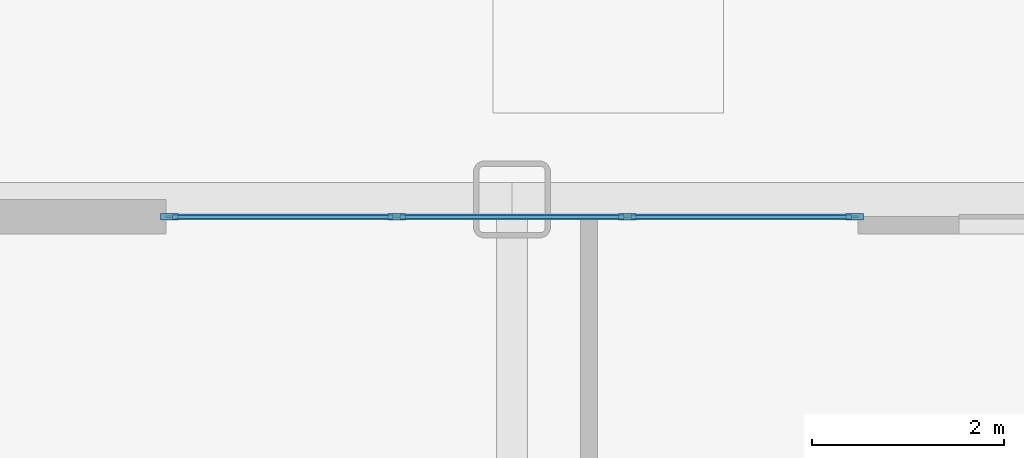
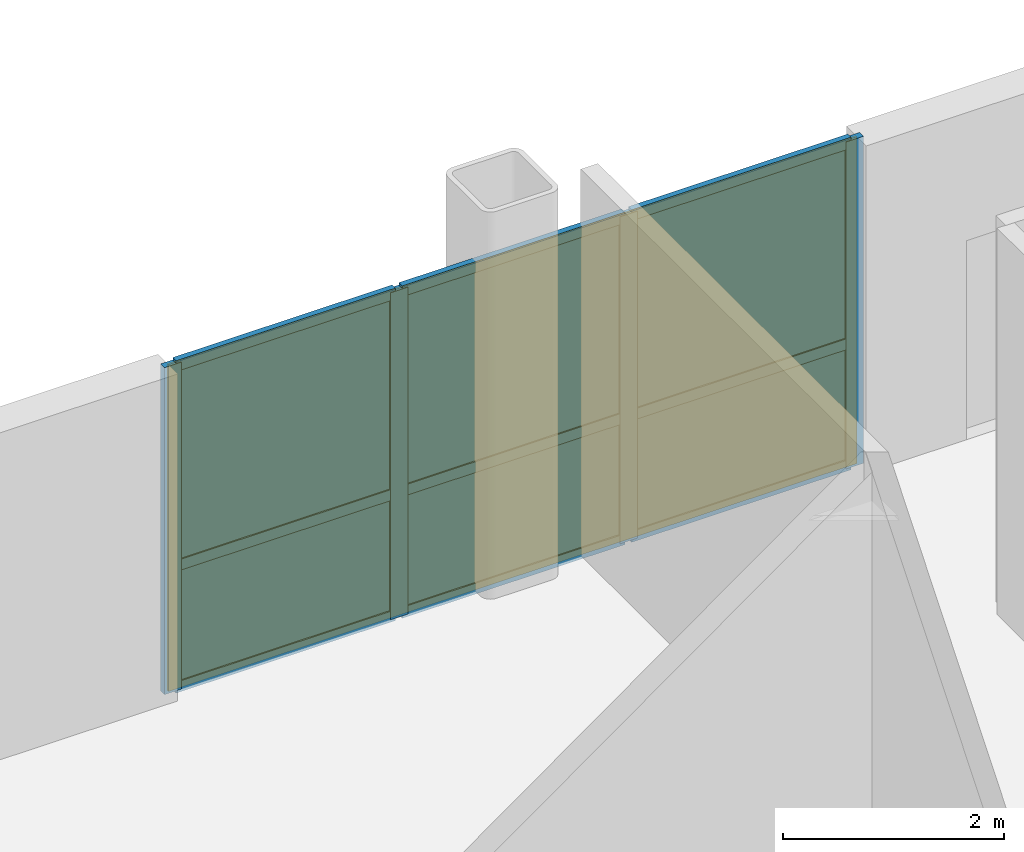
# One storey, part 16 of 20: 13 members, 6 plates, 1 curtain wall.
"""IFC4 building model written with IfcOpenShell, lengths in metres."""

from ifc_helpers import new_model, si_unit, direction, frame, frame_2d, origin, origin_2d, place, context, subcontext, project, spatial, rectangle, extrude, source, transform, mapped, material, layer, layer_set, material_profile, profile_set, type_object, type_shapes, element, aggregate, save


model = new_model("IFC4")

# Units and contexts
model_context = context("Model", 3, precision=1e-05, world=origin(), true_north=direction((0.0, 1.0)))
body_context = subcontext(model_context, "Body", "Model", "MODEL_VIEW")
ifc_project = project(units=[si_unit("LENGTHUNIT", "METRE"), si_unit("AREAUNIT", "SQUARE_METRE"), si_unit("VOLUMEUNIT", "CUBIC_METRE"), si_unit("PLANEANGLEUNIT", "RADIAN"), si_unit("MASSUNIT", "GRAM", prefix="KILO")], contexts=[model_context])

# Member
ifc_material_1 = material(Name="Anodised aluminium 6063-T6", Category="aluminium")
ifc_material_profile_1 = material_profile(ifc_material_1, rectangle(XDim=0.070068359375, YDim=0.179931640625, at=origin_2d()), Name="ALU-MULL-70x180")
ifc_profile_set_1 = profile_set([ifc_material_profile_1], Name="Anodised aluminium 6063-T6")
member_type_1 = type_object("IfcMemberType", Name="CWM-1", PredefinedType="MULLION", material=ifc_profile_set_1)
site_placement = place(None, origin())
building_placement = place(site_placement, origin())
storey_placement = place(building_placement, origin())
member_1_placement = place(storey_placement, frame((15.43505859375, 25.820068359375, 0.0), z_axis=(0.0, 0.0, 1.0), x_axis=(0.0, 1.0, 0.0)))
member_1 = element("IfcMember", 1, at=member_1_placement, type_object=member_type_1, Name="CWS-1 mullion 1", PredefinedType="MULLION", context=body_context, shape_type="SweptSolid", body=[
    extrude(rectangle(XDim=0.070068359375, YDim=0.179931640625, at=origin_2d()), origin(), (0.0, 0.0, 1.0), 3.614990234375),
])

member_2_placement = place(storey_placement, frame((17.800048828125, 25.820068359375, 0.0), z_axis=(0.0, 0.0, 1.0), x_axis=(0.0, 1.0, 0.0)))
member_2 = element("IfcMember", 2, at=member_2_placement, type_object=member_type_1, Name="CWS-1 mullion 2", PredefinedType="MULLION", context=body_context, shape_type="SweptSolid", body=[
    extrude(rectangle(XDim=0.070068359375, YDim=0.179931640625, at=origin_2d()), origin(), (0.0, 0.0, 1.0), 3.614990234375),
])

member_3_placement = place(storey_placement, frame((20.199951171875, 25.820068359375, 0.0), z_axis=(0.0, 0.0, 1.0), x_axis=(0.0, 1.0, 0.0)))
member_3 = element("IfcMember", 3, at=member_3_placement, type_object=member_type_1, Name="CWS-1 mullion 3", PredefinedType="MULLION", context=body_context, shape_type="SweptSolid", body=[
    extrude(rectangle(XDim=0.070068359375, YDim=0.179931640625, at=origin_2d()), origin(), (0.0, 0.0, 1.0), 3.614990234375),
])

member_4_placement = place(storey_placement, frame((22.56494140625, 25.820068359375, 0.0), z_axis=(0.0, 0.0, 1.0), x_axis=(0.0, 1.0, 0.0)))
member_4 = element("IfcMember", 4, at=member_4_placement, type_object=member_type_1, Name="CWS-1 mullion 4", PredefinedType="MULLION", context=body_context, shape_type="SweptSolid", body=[
    extrude(rectangle(XDim=0.070068359375, YDim=0.179931640625, at=origin_2d()), origin(), (0.0, 0.0, 1.0), 3.614990234375),
])

ifc_material_profile_2 = material_profile(ifc_material_1, rectangle(XDim=0.06005859375, YDim=0.1201171875, at=origin_2d()), Name="ALU-TRAN-60x120")
ifc_profile_set_2 = profile_set([ifc_material_profile_2], Name="Anodised aluminium 6063-T6")
member_type_2 = type_object("IfcMemberType", Name="CWT-1", PredefinedType="USERDEFINED", material=ifc_profile_set_2)
member_5_placement = place(storey_placement, frame((15.469970703125, 25.820068359375, 0.030029296875), z_axis=(1.0, 0.0, 0.0), x_axis=(0.0, 1.0, 0.0)))
member_5 = element("IfcMember", 5, at=member_5_placement, type_object=member_type_2, Name="CWS-1 transom 1.1", ObjectType="TRANSOM", PredefinedType="USERDEFINED", context=body_context, shape_type="SweptSolid", body=[
    extrude(rectangle(XDim=0.06005859375, YDim=0.1201171875, at=origin_2d()), origin(), (0.0, 0.0, 1.0), 2.294921875),
])

member_6_placement = place(storey_placement, frame((15.469970703125, 25.820068359375, 1.373779296875), z_axis=(1.0, 0.0, 0.0), x_axis=(0.0, 1.0, 0.0)))
member_6 = element("IfcMember", 6, at=member_6_placement, type_object=member_type_2, Name="CWS-1 transom 1.2", ObjectType="TRANSOM", PredefinedType="USERDEFINED", context=body_context, shape_type="SweptSolid", body=[
    extrude(rectangle(XDim=0.06005859375, YDim=0.1201171875, at=origin_2d()), origin(), (0.0, 0.0, 1.0), 2.294921875),
])

member_7_placement = place(storey_placement, frame((15.469970703125, 25.820068359375, 3.5849609375), z_axis=(1.0, 0.0, 0.0), x_axis=(0.0, 1.0, 0.0)))
member_7 = element("IfcMember", 7, at=member_7_placement, type_object=member_type_2, Name="CWS-1 transom 1.3", ObjectType="TRANSOM", PredefinedType="USERDEFINED", context=body_context, shape_type="SweptSolid", body=[
    extrude(rectangle(XDim=0.06005859375, YDim=0.1201171875, at=origin_2d()), origin(), (0.0, 0.0, 1.0), 2.294921875),
])

member_8_placement = place(storey_placement, frame((17.8349609375, 25.820068359375, 0.030029296875), z_axis=(1.0, 0.0, 0.0), x_axis=(0.0, 1.0, 0.0)))
member_8 = element("IfcMember", 8, at=member_8_placement, type_object=member_type_2, Name="CWS-1 transom 2.1", ObjectType="TRANSOM", PredefinedType="USERDEFINED", context=body_context, shape_type="SweptSolid", body=[
    extrude(rectangle(XDim=0.06005859375, YDim=0.1201171875, at=origin_2d()), origin(), (0.0, 0.0, 1.0), 2.330078125),
])

member_9_placement = place(storey_placement, frame((17.8349609375, 25.820068359375, 1.373779296875), z_axis=(1.0, 0.0, 0.0), x_axis=(0.0, 1.0, 0.0)))
member_9 = element("IfcMember", 9, at=member_9_placement, type_object=member_type_2, Name="CWS-1 transom 2.2", ObjectType="TRANSOM", PredefinedType="USERDEFINED", context=body_context, shape_type="SweptSolid", body=[
    extrude(rectangle(XDim=0.06005859375, YDim=0.1201171875, at=origin_2d()), origin(), (0.0, 0.0, 1.0), 2.330078125),
])

member_10_placement = place(storey_placement, frame((17.8349609375, 25.820068359375, 3.5849609375), z_axis=(1.0, 0.0, 0.0), x_axis=(0.0, 1.0, 0.0)))
member_10 = element("IfcMember", 10, at=member_10_placement, type_object=member_type_2, Name="CWS-1 transom 2.3", ObjectType="TRANSOM", PredefinedType="USERDEFINED", context=body_context, shape_type="SweptSolid", body=[
    extrude(rectangle(XDim=0.06005859375, YDim=0.1201171875, at=origin_2d()), origin(), (0.0, 0.0, 1.0), 2.330078125),
])

member_11_placement = place(storey_placement, frame((20.235107421875, 25.820068359375, 0.030029296875), z_axis=(1.0, 0.0, 0.0), x_axis=(0.0, 1.0, 0.0)))
member_11 = element("IfcMember", 11, at=member_11_placement, type_object=member_type_2, Name="CWS-1 transom 3.1", ObjectType="TRANSOM", PredefinedType="USERDEFINED", context=body_context, shape_type="SweptSolid", body=[
    extrude(rectangle(XDim=0.06005859375, YDim=0.1201171875, at=origin_2d()), origin(), (0.0, 0.0, 1.0), 2.294921875),
])

member_12_placement = place(storey_placement, frame((20.235107421875, 25.820068359375, 1.373779296875), z_axis=(1.0, 0.0, 0.0), x_axis=(0.0, 1.0, 0.0)))
member_12 = element("IfcMember", 12, at=member_12_placement, type_object=member_type_2, Name="CWS-1 transom 3.2", ObjectType="TRANSOM", PredefinedType="USERDEFINED", context=body_context, shape_type="SweptSolid", body=[
    extrude(rectangle(XDim=0.06005859375, YDim=0.1201171875, at=origin_2d()), origin(), (0.0, 0.0, 1.0), 2.294921875),
])

member_13_placement = place(storey_placement, frame((20.235107421875, 25.820068359375, 3.5849609375), z_axis=(1.0, 0.0, 0.0), x_axis=(0.0, 1.0, 0.0)))
member_13 = element("IfcMember", 13, at=member_13_placement, type_object=member_type_2, Name="CWS-1 transom 3.3", ObjectType="TRANSOM", PredefinedType="USERDEFINED", context=body_context, shape_type="SweptSolid", body=[
    extrude(rectangle(XDim=0.06005859375, YDim=0.1201171875, at=origin_2d()), origin(), (0.0, 0.0, 1.0), 2.294921875),
])

# Plate
ifc_material_2 = material(Name="Insulated solar-control glass", Category="glass")
ifc_layer_1 = layer(ifc_material_2, 0.031982421875, Name="CWP-1")
ifc_layer_set_1 = layer_set([ifc_layer_1], Name="Insulated solar-control glass")
plate_type = type_object("IfcPlateType", Name="CWP-1", PredefinedType="CURTAIN_PANEL", material=ifc_layer_set_1)
shared_shape_1 = source(origin(), body_context, "Body", "SweptSolid", [
    extrude(rectangle(XDim=2.294921875, YDim=0.031982421875, at=origin_2d()), origin(), (0.0, 0.0, 1.0), 1.28369140625),
])
plate_1_placement = place(storey_placement, frame((16.617431640625, 25.820068359375, 0.06005859375), z_axis=(0.0, 0.0, 1.0), x_axis=(1.0, 0.0, 0.0)))
plate_1 = element("IfcPlate", 14, at=plate_1_placement, type_object=plate_type, Name="CWS-1 panel 1.1", PredefinedType="CURTAIN_PANEL", context=body_context, shape_type="MappedRepresentation", body=[
    mapped(shared_shape_1, transform((0.0, 0.0, 0.0), scale=1.0)),
])

plate_2_placement = place(storey_placement, frame((21.382568359375, 25.820068359375, 0.06005859375), z_axis=(0.0, 0.0, 1.0), x_axis=(1.0, 0.0, 0.0)))
plate_2 = element("IfcPlate", 15, at=plate_2_placement, type_object=plate_type, Name="CWS-1 panel 3.1", PredefinedType="CURTAIN_PANEL", context=body_context, shape_type="MappedRepresentation", body=[
    mapped(shared_shape_1, transform((0.0, 0.0, 0.0), scale=1.0)),
])

shared_shape_2 = source(origin(), body_context, "Body", "SweptSolid", [
    extrude(rectangle(XDim=2.294921875, YDim=0.031982421875, at=origin_2d()), origin(), (0.0, 0.0, 1.0), 2.1513671875),
])
plate_3_placement = place(storey_placement, frame((16.617431640625, 25.820068359375, 1.403564453125), z_axis=(0.0, 0.0, 1.0), x_axis=(1.0, 0.0, 0.0)))
plate_3 = element("IfcPlate", 16, at=plate_3_placement, type_object=plate_type, Name="CWS-1 panel 1.2", PredefinedType="CURTAIN_PANEL", context=body_context, shape_type="MappedRepresentation", body=[
    mapped(shared_shape_2, transform((0.0, 0.0, 0.0), scale=1.0)),
])

plate_4_placement = place(storey_placement, frame((21.382568359375, 25.820068359375, 1.403564453125), z_axis=(0.0, 0.0, 1.0), x_axis=(1.0, 0.0, 0.0)))
plate_4 = element("IfcPlate", 17, at=plate_4_placement, type_object=plate_type, Name="CWS-1 panel 3.2", PredefinedType="CURTAIN_PANEL", context=body_context, shape_type="MappedRepresentation", body=[
    mapped(shared_shape_2, transform((0.0, 0.0, 0.0), scale=1.0)),
])

shared_shape_3 = source(origin(), body_context, "Body", "SweptSolid", [
    extrude(rectangle(XDim=2.330078125, YDim=0.031982421875, at=origin_2d()), origin(), (0.0, 0.0, 1.0), 1.28369140625),
])
plate_5_placement = place(storey_placement, frame((19.0, 25.820068359375, 0.06005859375), z_axis=(0.0, 0.0, 1.0), x_axis=(1.0, 0.0, 0.0)))
plate_5 = element("IfcPlate", 18, at=plate_5_placement, type_object=plate_type, Name="CWS-1 panel 2.1", PredefinedType="CURTAIN_PANEL", context=body_context, shape_type="MappedRepresentation", body=[
    mapped(shared_shape_3, transform((0.0, 0.0, 0.0), scale=1.0)),
])

shared_shape_4 = source(origin(), body_context, "Body", "SweptSolid", [
    extrude(rectangle(XDim=2.330078125, YDim=0.031982421875, at=origin_2d()), origin(), (0.0, 0.0, 1.0), 2.1513671875),
])
type_shapes(plate_type, [shared_shape_1, shared_shape_2, shared_shape_3, shared_shape_4])
plate_6_placement = place(storey_placement, frame((19.0, 25.820068359375, 1.403564453125), z_axis=(0.0, 0.0, 1.0), x_axis=(1.0, 0.0, 0.0)))
plate_6 = element("IfcPlate", 19, at=plate_6_placement, type_object=plate_type, Name="CWS-1 panel 2.2", PredefinedType="CURTAIN_PANEL", context=body_context, shape_type="MappedRepresentation", body=[
    mapped(shared_shape_4, transform((0.0, 0.0, 0.0), scale=1.0)),
])

# Site, building, storey
site = spatial("IfcSite", under=ifc_project, at=site_placement, CompositionType="ELEMENT")
building = spatial("IfcBuilding", under=site, at=building_placement, Name="Nuvemarco Arch Tower", CompositionType="ELEMENT")
storey = spatial("IfcBuildingStorey", under=building, at=storey_placement, Name="L00", CompositionType="ELEMENT", Elevation=0.0)

# Curtain wall
ifc_layer_2 = layer(ifc_material_2, 0.179931640625, Name="CW-SYS-1")
ifc_layer_set_2 = layer_set([ifc_layer_2], Name="Insulated solar-control glass")
curtain_wall_type = type_object("IfcCurtainWallType", Name="CW-SYS-1", PredefinedType="NOTDEFINED", material=ifc_layer_set_2)
curtain_wall_placement = place(storey_placement, frame((15.39990234375, 25.820068359375, 0.0), z_axis=(0.0, 0.0, 1.0), x_axis=(1.0, 0.0, 0.0)))
curtain_wall = element("IfcCurtainWall", 20, at=curtain_wall_placement, inside=storey, type_object=curtain_wall_type, Name="L00 curtain wall CWS-1", PredefinedType="NOTDEFINED", context=body_context, shape_type="SweptSolid", body=[
    extrude(rectangle(XDim=7.2001953125, YDim=0.02001953125, at=frame_2d((3.60009765625, 0.0))), origin(), (0.0, 0.0, 1.0), 3.614990234375),
])

aggregate(curtain_wall, [member_1, member_2, member_3, member_4, member_5, member_6, member_7, plate_1, plate_3, member_8, member_9, member_10, plate_5, plate_6, member_11, member_12, member_13, plate_2, plate_4])

save(model, "model.ifc")
